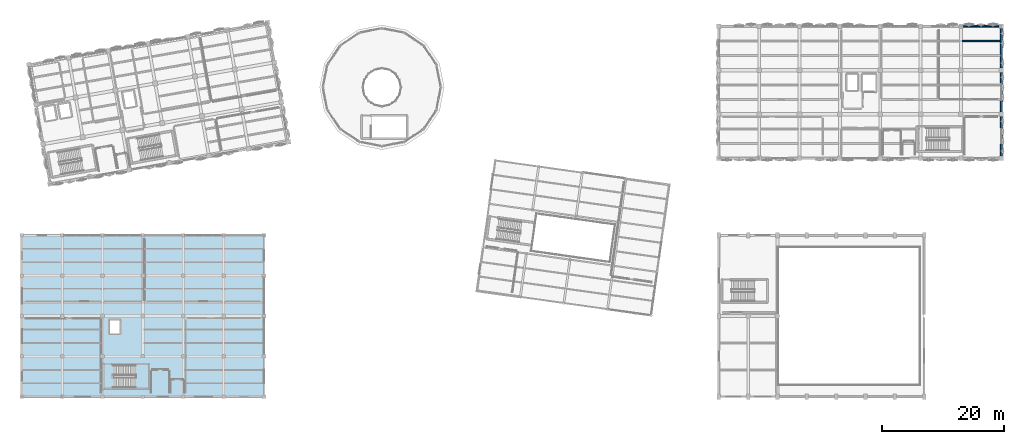
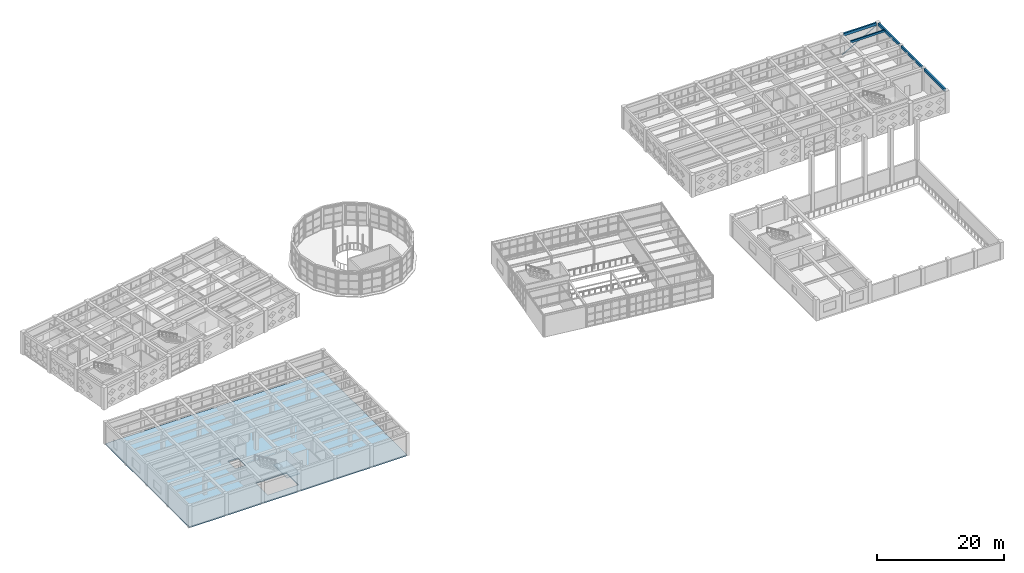
# One storey, part 51 of 80: 5 beams, 2 slabs, 1 member, 1 element without a shape of its own.
"""IFC4 building model written with IfcOpenShell, lengths in metres."""

from ifc_helpers import new_model, si_unit, direction, frame, origin, origin_2d, place, context, subcontext, project, spatial, polyline, rectangle, hollow_rectangle, outline, extrude, material, layer, layer_set, material_profile, profile_set, type_object, element, aggregate, save


model = new_model("IFC4")

# Units and contexts
model_context = context("Model", 3, precision=1e-05, world=origin(), true_north=direction((0.0, 1.0)))
body_context = subcontext(model_context, "Body", "Model", "MODEL_VIEW")
ifc_project = project(units=[si_unit("LENGTHUNIT", "METRE"), si_unit("AREAUNIT", "SQUARE_METRE"), si_unit("VOLUMEUNIT", "CUBIC_METRE"), si_unit("PLANEANGLEUNIT", "RADIAN"), si_unit("MASSUNIT", "GRAM", prefix="KILO")], contexts=[model_context])

# Site, building, storey
site_placement = place(None, origin())
site = spatial("IfcSite", under=ifc_project, at=site_placement, CompositionType="ELEMENT")
building_placement = place(site_placement, origin())
building = spatial("IfcBuilding", under=site, at=building_placement, Name="Kharisveld Research Institute", CompositionType="ELEMENT")
storey_placement = place(building_placement, frame((0.0, 0.0, 5.10009765625)))
storey = spatial("IfcBuildingStorey", under=building, at=storey_placement, Name="L01", CompositionType="ELEMENT", Elevation=5.10009765625)

# Member
ifc_material_1 = material(Name="Steel S355J2H", Category="steel")
ifc_material_profile_1 = material_profile(ifc_material_1, hollow_rectangle(XDim=0.1201171875, YDim=0.1201171875, WallThickness=0.00634765625, at=origin_2d()))
ifc_profile_set_1 = profile_set([ifc_material_profile_1], Name="Steel S355J2H")
member_type = type_object("IfcMemberType", Name="BR_SHS120", PredefinedType="BRACE", material=ifc_profile_set_1)
member_placement = place(storey_placement, frame((154.300048828125, 60.800048828125, 0.199951171875), z_axis=(0.875053295182, 0.0, 0.484026580459), x_axis=(0.0, 1.0, 0.0)))
element("IfcMember", 1, at=member_placement, inside=storey, type_object=member_type, Name="MEM:V2:L01:BR_6_3", PredefinedType="BRACE", context=body_context, shape_type="SweptSolid", body=[
    extrude(hollow_rectangle(XDim=0.1201171875, YDim=0.1201171875, WallThickness=0.00634765625, at=origin_2d()), origin(), (0.0, 0.0, 1.0), 7.313720703125),
])

# Beams
ifc_material_2 = material(Name="Concrete C40/50", Category="concrete")
ifc_material_profile_2 = material_profile(ifc_material_2, rectangle(XDim=0.300048828125, YDim=0.5, at=origin_2d()))
ifc_profile_set_2 = profile_set([ifc_material_profile_2], Name="Concrete C40/50")
beam_type_1 = type_object("IfcBeamType", Name="SP_RC_300x500", PredefinedType="SPANDREL", material=ifc_profile_set_2)
beam_1_placement = place(storey_placement, frame((154.550048828125, 60.800048828125, 4.039794921875), z_axis=(1.0, 0.0, 0.0), x_axis=(0.0, 1.0, 0.0)))
element("IfcBeam", 2, at=beam_1_placement, inside=storey, type_object=beam_type_1, Name="BM:V2:L01:U6_3", PredefinedType="SPANDREL", context=body_context, shape_type="SweptSolid", body=[
    extrude(rectangle(XDim=0.300048828125, YDim=0.5, at=origin_2d()), origin(), (0.0, 0.0, 1.0), 5.89990234375),
])
for number, where, z_axis, x_axis, name in (
    (3, (160.800048828125, 39.550048828125, 4.039794921875), (0.0, 1.0, 0.0), (-1.0, 0.0, 0.0), "BM:V2:L01:V7_0"),
    (4, (160.800048828125, 46.75, 4.039794921875), (0.0, 1.0, 0.0), (-1.0, 0.0, 0.0), "BM:V2:L01:V7_1"),
    (5, (160.800048828125, 53.949951171875, 4.039794921875), (0.0, 1.0, 0.0), (-1.0, 0.0, 0.0), "BM:V2:L01:V7_2"),
):
    element("IfcBeam", number, at=place(storey_placement, frame(where, z_axis=z_axis, x_axis=x_axis)), inside=storey, type_object=beam_type_1, Name=name, PredefinedType="SPANDREL", context=body_context, shape_type="SweptSolid", body=[
        extrude(rectangle(XDim=0.300048828125, YDim=0.5, at=origin_2d()), origin(), (0.0, 0.0, 1.0), 6.5),
    ])
ifc_material_3 = material(Name="Concrete C40/50", Category="concrete")
ifc_material_profile_3 = material_profile(ifc_material_3, rectangle(XDim=0.219970703125, YDim=0.39990234375, at=origin_2d()))
ifc_profile_set_3 = profile_set([ifc_material_profile_3], Name="Concrete C40/50")
beam_type_2 = type_object("IfcBeamType", Name="WB_RC_220x400", PredefinedType="JOIST", material=ifc_profile_set_3)
beam_2_placement = place(storey_placement, frame((154.425048828125, 58.39990234375, 4.08984375), z_axis=(1.0, 0.0, 0.0), x_axis=(0.0, 1.0, 0.0)))
element("IfcBeam", 6, at=beam_2_placement, inside=storey, type_object=beam_type_2, Name="BM:V2:L01:J_6_2_R2", PredefinedType="JOIST", context=body_context, shape_type="SweptSolid", body=[
    extrude(rectangle(XDim=0.219970703125, YDim=0.39990234375, at=origin_2d()), origin(), (0.0, 0.0, 1.0), 6.224853515625),
])

# Slab
ifc_material_4 = material(Name="Concrete C40/50", Category="concrete")
ifc_layer_1 = layer(ifc_material_4, 0.219970703125)
ifc_layer_set_1 = layer_set([ifc_layer_1], Name="SL_FLR_220")
slab_type_1 = type_object("IfcSlabType", Name="SL_FLR_220", PredefinedType="FLOOR", material=ifc_layer_set_1)
slab_1_placement = place(storey_placement, frame((0.0, 0.0, -0.22021484375)))
element("IfcSlab", 7, at=slab_1_placement, inside=storey, type_object=slab_type_1, Name="SLAB:V3:L01:MAIN", PredefinedType="FLOOR", context=body_context, shape_type="SweptSolid", body=[
    extrude(outline(polyline([(0.60009765625, 0.199951171875), (40.199951171875, 0.199951171875), (40.199951171875, 26.60009765625), (0.60009765625, 26.60009765625), (0.60009765625, 0.199951171875)]), holes=[polyline([(21.300048828125, 5.4599609375), (21.300048828125, 1.60009765625), (15.699951171875, 1.60009765625), (15.699951171875, 5.4599609375), (21.300048828125, 5.4599609375)]), polyline([(16.719970703125, 12.77001953125), (16.719970703125, 10.429931640625), (14.8798828125, 10.429931640625), (14.8798828125, 12.77001953125), (16.719970703125, 12.77001953125)])]), origin(), (0.0, 0.0, 1.0), 0.22021484375),
])

# Stair, slab
ifc_material_5 = material(Name="Concrete C40/50", Category="concrete")
stair_type = type_object("IfcStairType", Name="ST_EXIT_170", PredefinedType="TWO_STRAIGHT_RUN_STAIR", material=ifc_material_5)
stair_placement = place(storey_placement, origin())
stair = element("IfcStair", 8, at=stair_placement, inside=storey, type_object=stair_type, Name="STR:ST4:L01", PredefinedType="TWO_STRAIGHT_RUN_STAIR")
ifc_material_6 = material(Name="Concrete C40/50", Category="concrete")
ifc_layer_2 = layer(ifc_material_6, 0.179931640625)
ifc_layer_set_2 = layer_set([ifc_layer_2], Name="SL_LND_180")
slab_type_2 = type_object("IfcSlabType", Name="SL_LND_180", PredefinedType="LANDING", material=ifc_layer_set_2)
slab_2_placement = place(storey_placement, frame((0.0, 0.0, 2.06982421875)))
slab_2 = element("IfcSlab", 9, at=slab_2_placement, type_object=slab_type_2, Name="ST-04 landing 1", PredefinedType="LANDING", context=body_context, shape_type="SweptSolid", body=[
    extrude(outline(polyline([(19.044921875, 1.469970703125), (21.449951171875, 1.469970703125), (21.449951171875, 5.590087890625), (19.044921875, 5.590087890625), (19.044921875, 1.469970703125)])), origin(), (0.0, 0.0, 1.0), 0.18017578125),
])
aggregate(stair, [slab_2])

save(model, "model.ifc")
